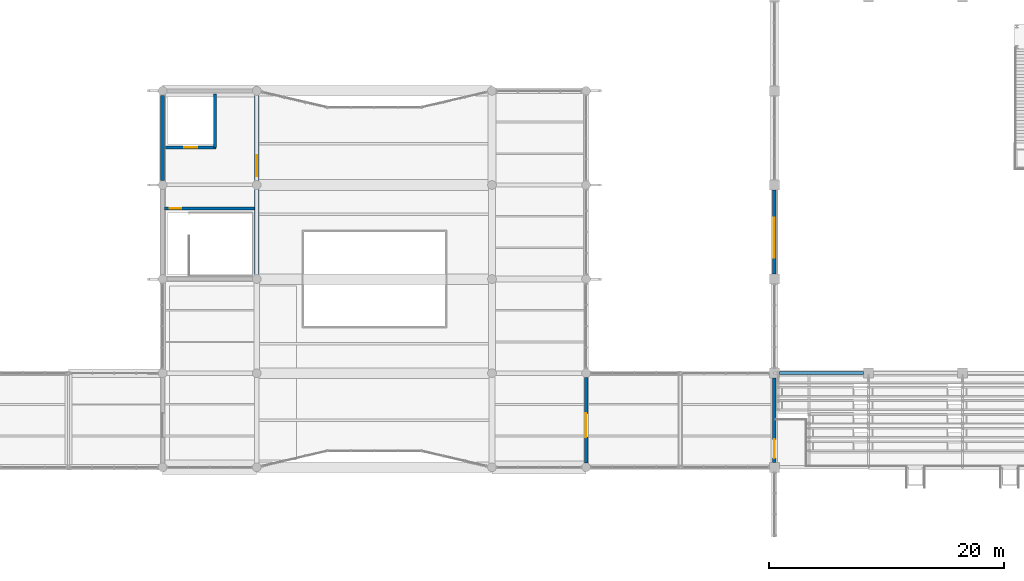
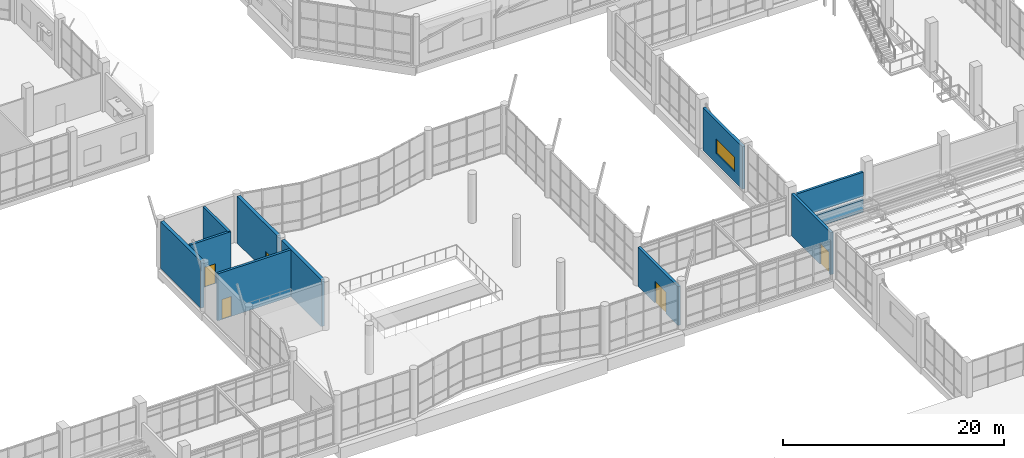
# One storey, part 105 of 122: 11 walls, 5 doors, 1 window, 6 openings.
"""IFC4 building model written with IfcOpenShell, lengths in metres."""

from ifc_helpers import new_model, si_unit, direction, frame, frame_2d, origin, place, context, subcontext, project, spatial, rectangle, extrude, material, layer, layer_set, type_object, element, fill, save


model = new_model("IFC4")

# Units and contexts
model_context = context("Model", 3, precision=1e-05, world=origin(), true_north=direction((0.0, 1.0)))
body_context = subcontext(model_context, "Body", "Model", "MODEL_VIEW")
ifc_project = project(units=[si_unit("LENGTHUNIT", "METRE"), si_unit("AREAUNIT", "SQUARE_METRE"), si_unit("VOLUMEUNIT", "CUBIC_METRE"), si_unit("PLANEANGLEUNIT", "RADIAN"), si_unit("MASSUNIT", "GRAM", prefix="KILO")], contexts=[model_context])

# Site, building, storey
site_placement = place(None, origin())
site = spatial("IfcSite", under=ifc_project, at=site_placement, CompositionType="ELEMENT")
building_placement = place(site_placement, origin())
building = spatial("IfcBuilding", under=site, at=building_placement, Name="Tenunan Teduh Sports Hall", CompositionType="ELEMENT")
storey_placement = place(building_placement, frame((0.0, 0.0, 5.39990234375)))
storey = spatial("IfcBuildingStorey", under=building, at=storey_placement, Name="L01", CompositionType="ELEMENT", Elevation=5.39990234375)

# Wall, opening, door
ifc_material_1 = material(Name="Concrete C40/50", Category="concrete")
ifc_layer_1 = layer(ifc_material_1, 0.25)
ifc_layer_set_1 = layer_set([ifc_layer_1], Name="Concrete C40/50")
wall_type_1 = type_object("IfcWallType", Name="WL-COR-250", PredefinedType="SOLIDWALL", material=ifc_layer_set_1)
wall_1_placement = place(storey_placement, frame((70.175048828125, 60.0, 0.0), z_axis=(0.0, 0.0, 1.0), x_axis=(1.0, 0.0, 0.0)))
wall_1 = element("IfcWall", 1, at=wall_1_placement, inside=storey, type_object=wall_type_1, Name="WL-COR-L01-242", PredefinedType="SOLIDWALL", context=body_context, shape_type="SweptSolid", body=[
    extrude(rectangle(XDim=7.64990234375, YDim=0.25, at=frame_2d((3.824951171875, 0.0))), origin(), (0.0, 0.0, 1.0), 5.18017578125),
])
opening_1_placement = place(wall_1_placement, frame((0.425048828125, 0.0, 0.0)))
opening_1 = element("IfcOpeningElement", 2, at=opening_1_placement, cuts=wall_1, Name="Opening FD-01", PredefinedType="OPENING", context=body_context, shape_type="SweptSolid", body=[
    extrude(rectangle(XDim=1.0, YDim=2.199951171875, at=frame_2d((0.5, 1.10009765625))), frame((0.0, 0.135009765625, 0.0), z_axis=(0.0, -1.0, 0.0), x_axis=(1.0, 0.0, 0.0)), (0.0, 0.0, 1.0), 0.27001953125),
])
ifc_material_2 = material(Name="Fire-rated steel leaf and frame", Category="steel")
door_type_1 = type_object("IfcDoorType", Name="FDR-01", OperationType="SINGLE_SWING_LEFT", PredefinedType="DOOR", material=ifc_material_2)
door_1_placement = place(opening_1_placement, frame((1.0, 0.0, 0.0), z_axis=(0.0, 0.0, 1.0), x_axis=(-1.0, 0.0, 0.0)))
door_1 = element("IfcDoor", 3, at=door_1_placement, inside=storey, type_object=door_type_1, Name="DR-INT-L01-092", OperationType="SINGLE_SWING_LEFT", OverallHeight=2.199951171875, OverallWidth=1.0, PredefinedType="DOOR", context=body_context, shape_type="SweptSolid", body=[
    extrude(rectangle(XDim=1.0, YDim=2.199951171875, at=frame_2d((0.5, 1.10009765625))), frame((0.0, 0.02490234375, 0.0), z_axis=(0.0, -1.0, 0.0), x_axis=(1.0, 0.0, 0.0)), (0.0, 0.0, 1.0), 0.050048828125),
])
fill(opening_1, door_1)

wall_2_placement = place(storey_placement, frame((70.25, 65.199951171875, 0.0), z_axis=(0.0, 0.0, 1.0), x_axis=(1.0, 0.0, 0.0)))
wall_2 = element("IfcWall", 4, at=wall_2_placement, inside=storey, type_object=wall_type_1, Name="WL-COR-L01-243", PredefinedType="SOLIDWALL", context=body_context, shape_type="SweptSolid", body=[
    extrude(rectangle(XDim=4.300048828125, YDim=0.25, at=frame_2d((2.14990234375, 0.0))), origin(), (0.0, 0.0, 1.0), 5.18017578125),
])
opening_2_placement = place(wall_2_placement, frame((1.60009765625, 0.0, 0.0)))
opening_2 = element("IfcOpeningElement", 5, at=opening_2_placement, cuts=wall_2, Name="Opening LD-1", PredefinedType="OPENING", context=body_context, shape_type="SweptSolid", body=[
    extrude(rectangle(XDim=1.10009765625, YDim=2.199951171875, at=frame_2d((0.550048828125, 1.10009765625))), frame((0.0, 0.135009765625, 0.0), z_axis=(0.0, -1.0, 0.0), x_axis=(1.0, 0.0, 0.0)), (0.0, 0.0, 1.0), 0.27001953125),
])
ifc_material_3 = material(Name="Brushed stainless steel landing doors", Category="steel")
door_type_2 = type_object("IfcDoorType", Name="LDR-01", OperationType="DOUBLE_DOOR_SLIDING", PredefinedType="DOOR", material=ifc_material_3)
door_2_placement = place(opening_2_placement, origin())
door_2 = element("IfcDoor", 6, at=door_2_placement, inside=storey, type_object=door_type_2, Name="Lift Landing Door LD-34", OperationType="DOUBLE_DOOR_SLIDING", OverallHeight=2.199951171875, OverallWidth=1.10009765625, PredefinedType="DOOR", context=body_context, shape_type="SweptSolid", body=[
    extrude(rectangle(XDim=1.10009765625, YDim=2.199951171875, at=frame_2d((0.550048828125, 1.10009765625))), frame((0.0, 0.02490234375, 0.0), z_axis=(0.0, -1.0, 0.0), x_axis=(1.0, 0.0, 0.0)), (0.0, 0.0, 1.0), 0.050048828125),
])
fill(opening_2, door_2)

# Walls
wall_3_placement = place(storey_placement, frame((74.449951171875, 65.199951171875, 0.0), z_axis=(0.0, 0.0, 1.0), x_axis=(0.0, 1.0, 0.0)))
element("IfcWall", 7, at=wall_3_placement, inside=storey, type_object=wall_type_1, Name="WL-COR-L01-244", PredefinedType="SOLIDWALL", context=body_context, shape_type="SweptSolid", body=[
    extrude(rectangle(XDim=4.550048828125, YDim=0.25, at=frame_2d((2.27490234375, 0.0))), origin(), (0.0, 0.0, 1.0), 5.18017578125),
])
ifc_material_4 = material(Name="Precast concrete C40/50", Category="concrete")
ifc_layer_2 = layer(ifc_material_4, 0.25)
ifc_layer_set_2 = layer_set([ifc_layer_2], Name="Precast concrete C40/50")
wall_type_2 = type_object("IfcWallType", Name="WL-EXT-250", PredefinedType="SOLIDWALL", material=ifc_layer_set_2)
wall_4_placement = place(storey_placement, frame((122.425048828125, 46.0, -0.27001953125), z_axis=(0.0, 0.0, 1.0), x_axis=(1.0, 0.0, 0.0)))
element("IfcWall", 8, at=wall_4_placement, inside=storey, type_object=wall_type_2, Name="WL-EXT-L01-065", PredefinedType="SOLIDWALL", context=body_context, shape_type="SweptSolid", body=[
    extrude(rectangle(XDim=7.14990234375, YDim=0.25, at=frame_2d((3.574951171875, 0.0))), origin(), (0.0, 0.0, 1.0), 1.34375),
])
wall_5_placement = place(storey_placement, frame((122.425048828125, 46.0, 1.47998046875), z_axis=(0.0, 0.0, 1.0), x_axis=(1.0, 0.0, 0.0)))
element("IfcWall", 9, at=wall_5_placement, inside=storey, type_object=wall_type_2, Name="WL-EXT-L01-238", PredefinedType="SOLIDWALL", context=body_context, shape_type="SweptSolid", body=[
    extrude(rectangle(XDim=7.14990234375, YDim=0.25, at=frame_2d((3.574951171875, 0.0))), origin(), (0.0, 0.0, 1.0), 2.66015625),
])

# Wall, opening, door
ifc_material_5 = material(Name="Concrete C40/50", Category="concrete")
ifc_layer_3 = layer(ifc_material_5, 0.280029296875)
ifc_layer_set_3 = layer_set([ifc_layer_3], Name="Concrete C40/50")
wall_type_3 = type_object("IfcWallType", Name="WL-EXT-280", PredefinedType="SOLIDWALL", material=ifc_layer_set_3)
wall_6_placement = place(storey_placement, frame((122.0, 38.425048828125, 0.0), z_axis=(0.0, 0.0, 1.0), x_axis=(0.0, 1.0, 0.0)))
wall_6 = element("IfcWall", 10, at=wall_6_placement, inside=storey, type_object=wall_type_3, Name="WL-EXT-L01-071", PredefinedType="SOLIDWALL", context=body_context, shape_type="SweptSolid", body=[
    extrude(rectangle(XDim=7.14990234375, YDim=0.280029296875, at=frame_2d((3.574951171875, 0.0))), origin(), (0.0, 0.0, 1.0), 4.64013671875),
])
opening_3_placement = place(wall_6_placement, frame((0.35009765625, 0.0, 0.0)))
opening_3 = element("IfcOpeningElement", 11, at=opening_3_placement, cuts=wall_6, Name="Opening ED-06", PredefinedType="OPENING", context=body_context, shape_type="SweptSolid", body=[
    extrude(rectangle(XDim=1.60009765625, YDim=2.300048828125, at=frame_2d((0.800048828125, 1.14990234375))), frame((0.0, 0.14990234375, 0.0), z_axis=(0.0, -1.0, 0.0), x_axis=(1.0, 0.0, 0.0)), (0.0, 0.0, 1.0), 0.300048828125),
])
ifc_material_6 = material(Name="Powder-coated aluminium and laminated safety glass", Category="aluminium")
door_type_3 = type_object("IfcDoorType", Name="EDR-06", OperationType="DOUBLE_DOOR_SINGLE_SWING", PredefinedType="DOOR", material=ifc_material_6)
door_3_placement = place(opening_3_placement, origin())
door_3 = element("IfcDoor", 12, at=door_3_placement, inside=storey, type_object=door_type_3, Name="DR-EXT-L01-011", OperationType="DOUBLE_DOOR_SINGLE_SWING", OverallHeight=2.300048828125, OverallWidth=1.60009765625, PredefinedType="DOOR", context=body_context, shape_type="SweptSolid", body=[
    extrude(rectangle(XDim=1.60009765625, YDim=2.300048828125, at=frame_2d((0.800048828125, 1.14990234375))), frame((0.0, 0.02490234375, 0.0), z_axis=(0.0, -1.0, 0.0), x_axis=(1.0, 0.0, 0.0)), (0.0, 0.0, 1.0), 0.050048828125),
])
fill(opening_3, door_3)

# Wall, opening, window
wall_7_placement = place(storey_placement, frame((122.0, 54.425048828125, -0.27001953125), z_axis=(0.0, 0.0, 1.0), x_axis=(0.0, 1.0, 0.0)))
wall_7 = element("IfcWall", 13, at=wall_7_placement, inside=storey, type_object=wall_type_3, Name="WL-EXT-L01-123", PredefinedType="SOLIDWALL", context=body_context, shape_type="SweptSolid", body=[
    extrude(rectangle(XDim=7.14990234375, YDim=0.280029296875, at=frame_2d((3.574951171875, 0.0))), origin(), (0.0, 0.0, 1.0), 4.710205078125),
])
opening_4_placement = place(wall_7_placement, frame((1.39990234375, 0.0, 1.10009765625)))
opening_4 = element("IfcOpeningElement", 14, at=opening_4_placement, cuts=wall_7, Name="Opening W-15", PredefinedType="OPENING", context=body_context, shape_type="SweptSolid", body=[
    extrude(rectangle(XDim=3.39990234375, YDim=1.60009765625, at=frame_2d((1.699951171875, 0.800048828125))), frame((0.0, 0.14990234375, 0.0), z_axis=(0.0, -1.0, 0.0), x_axis=(1.0, 0.0, 0.0)), (0.0, 0.0, 1.0), 0.300048828125),
])
ifc_material_7 = material(Name="Thermally broken aluminium and Low-E glazing", Category="aluminium")
window_type = type_object("IfcWindowType", Name="WIN-15", PartitioningType="TRIPLE_PANEL_VERTICAL", PredefinedType="WINDOW", material=ifc_material_7)
window_placement = place(opening_4_placement, origin())
window = element("IfcWindow", 15, at=window_placement, inside=storey, type_object=window_type, Name="WIN-L01-022", OverallHeight=1.60009765625, OverallWidth=3.39990234375, PartitioningType="SINGLE_PANEL", PredefinedType="WINDOW", context=body_context, shape_type="SweptSolid", body=[
    extrude(rectangle(XDim=3.39990234375, YDim=1.60009765625, at=frame_2d((1.699951171875, 0.800048828125))), frame((0.0, 0.030029296875, 0.0), z_axis=(0.0, -1.0, 0.0), x_axis=(1.0, 0.0, 0.0)), (0.0, 0.0, 1.0), 0.06005859375),
])
fill(opening_4, window)

# Wall, opening, door
wall_8_placement = place(storey_placement, frame((106.0, 38.375, 0.0), z_axis=(0.0, 0.0, 1.0), x_axis=(0.0, 1.0, 0.0)))
wall_8 = element("IfcWall", 16, at=wall_8_placement, inside=storey, type_object=wall_type_3, Name="WL-EXT-L01-145", PredefinedType="SOLIDWALL", context=body_context, shape_type="SweptSolid", body=[
    extrude(rectangle(XDim=7.25, YDim=0.280029296875, at=frame_2d((3.625, 0.0))), origin(), (0.0, 0.0, 1.0), 4.300048828125),
])
opening_5_placement = place(wall_8_placement, frame((2.199951171875, 0.0, 0.0)))
opening_5 = element("IfcOpeningElement", 17, at=opening_5_placement, cuts=wall_8, Name="Opening ED-01", PredefinedType="OPENING", context=body_context, shape_type="SweptSolid", body=[
    extrude(rectangle(XDim=2.0, YDim=2.39990234375, at=frame_2d((1.0, 1.199951171875))), frame((0.0, 0.14990234375, 0.0), z_axis=(0.0, -1.0, 0.0), x_axis=(1.0, 0.0, 0.0)), (0.0, 0.0, 1.0), 0.300048828125),
])
ifc_material_8 = material(Name="Powder-coated aluminium and laminated safety glass", Category="aluminium")
door_type_4 = type_object("IfcDoorType", Name="EDR-01", OperationType="DOUBLE_DOOR_SINGLE_SWING", PredefinedType="DOOR", material=ifc_material_8)
door_4_placement = place(opening_5_placement, origin())
door_4 = element("IfcDoor", 18, at=door_4_placement, inside=storey, type_object=door_type_4, Name="DR-EXT-L01-034", OperationType="DOUBLE_DOOR_SINGLE_SWING", OverallHeight=2.39990234375, OverallWidth=2.0, PredefinedType="DOOR", context=body_context, shape_type="SweptSolid", body=[
    extrude(rectangle(XDim=2.0, YDim=2.39990234375, at=frame_2d((1.0, 1.199951171875))), frame((0.0, 0.02490234375, 0.0), z_axis=(0.0, -1.0, 0.0), x_axis=(1.0, 0.0, 0.0)), (0.0, 0.0, 1.0), 0.050048828125),
])
fill(opening_5, door_4)

# Walls
ifc_material_9 = material(Name="Concrete C40/50", Category="concrete")
ifc_layer_4 = layer(ifc_material_9, 0.35009765625)
ifc_layer_set_4 = layer_set([ifc_layer_4], Name="Concrete C40/50")
wall_type_4 = type_object("IfcWallType", Name="WL-SHR-350", PredefinedType="SHEAR", material=ifc_layer_set_4)
for number, where, z_axis, x_axis, name in (
    (19, (70.0, 62.375, 0.0), (0.0, 0.0, 1.0), (0.0, 1.0, 0.0), "WL-COR-L01-239"),
    (20, (78.0, 54.375, 0.0), (0.0, 0.0, 1.0), (0.0, 1.0, 0.0), "WL-COR-L01-240"),
):
    element("IfcWall", number, at=place(storey_placement, frame(where, z_axis=z_axis, x_axis=x_axis)), inside=storey, type_object=wall_type_4, Name=name, PredefinedType="SHEAR", context=body_context, shape_type="SweptSolid", body=[
        extrude(rectangle(XDim=7.25, YDim=0.35009765625, at=frame_2d((3.625, 0.0))), origin(), (0.0, 0.0, 1.0), 5.18017578125),
    ])

# Wall, opening, door
wall_9_placement = place(storey_placement, frame((78.0, 62.375, 0.0), z_axis=(0.0, 0.0, 1.0), x_axis=(0.0, 1.0, 0.0)))
wall_9 = element("IfcWall", 21, at=wall_9_placement, inside=storey, type_object=wall_type_4, Name="WL-COR-L01-241", PredefinedType="SHEAR", context=body_context, shape_type="SweptSolid", body=[
    extrude(rectangle(XDim=7.25, YDim=0.35009765625, at=frame_2d((3.625, 0.0))), origin(), (0.0, 0.0, 1.0), 5.18017578125),
])
opening_6_placement = place(wall_9_placement, frame((0.35009765625, 0.0, 0.0)))
opening_6 = element("IfcOpeningElement", 22, at=opening_6_placement, cuts=wall_9, Name="Opening FD-03", PredefinedType="OPENING", context=body_context, shape_type="SweptSolid", body=[
    extrude(rectangle(XDim=1.800048828125, YDim=2.199951171875, at=frame_2d((0.89990234375, 1.10009765625))), frame((0.0, 0.18505859375, 0.0), z_axis=(0.0, -1.0, 0.0), x_axis=(1.0, 0.0, 0.0)), (0.0, 0.0, 1.0), 0.3701171875),
])
ifc_material_10 = material(Name="Fire-rated hardwood pair", Category="wood")
door_type_5 = type_object("IfcDoorType", Name="FDR-03", OperationType="DOUBLE_DOOR_SINGLE_SWING", PredefinedType="DOOR", material=ifc_material_10)
door_5_placement = place(opening_6_placement, frame((1.800048828125, 0.0, 0.0), z_axis=(0.0, 0.0, 1.0), x_axis=(-1.0, 0.0, 0.0)))
door_5 = element("IfcDoor", 23, at=door_5_placement, inside=storey, type_object=door_type_5, Name="DR-INT-L01-091", OperationType="DOUBLE_DOOR_SINGLE_SWING", OverallHeight=2.199951171875, OverallWidth=1.800048828125, PredefinedType="DOOR", context=body_context, shape_type="SweptSolid", body=[
    extrude(rectangle(XDim=1.800048828125, YDim=2.199951171875, at=frame_2d((0.89990234375, 1.10009765625))), frame((0.0, 0.02490234375, 0.0), z_axis=(0.0, -1.0, 0.0), x_axis=(1.0, 0.0, 0.0)), (0.0, 0.0, 1.0), 0.050048828125),
])
fill(opening_6, door_5)

save(model, "model.ifc")
